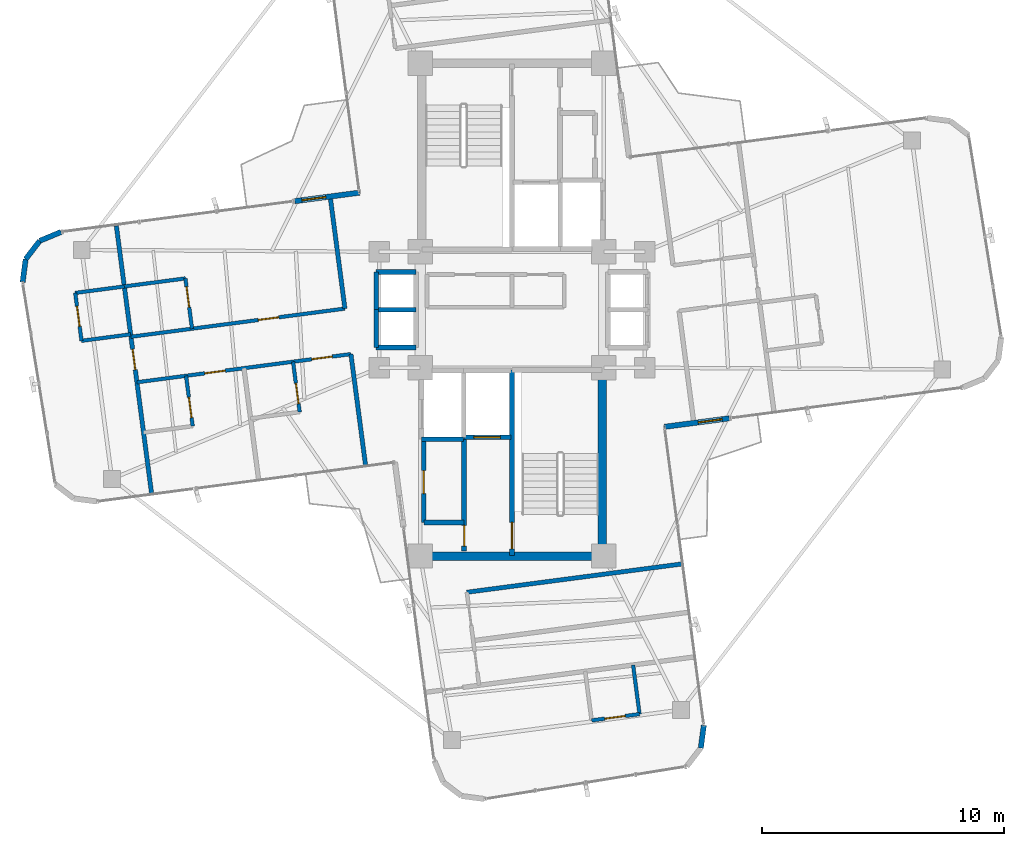
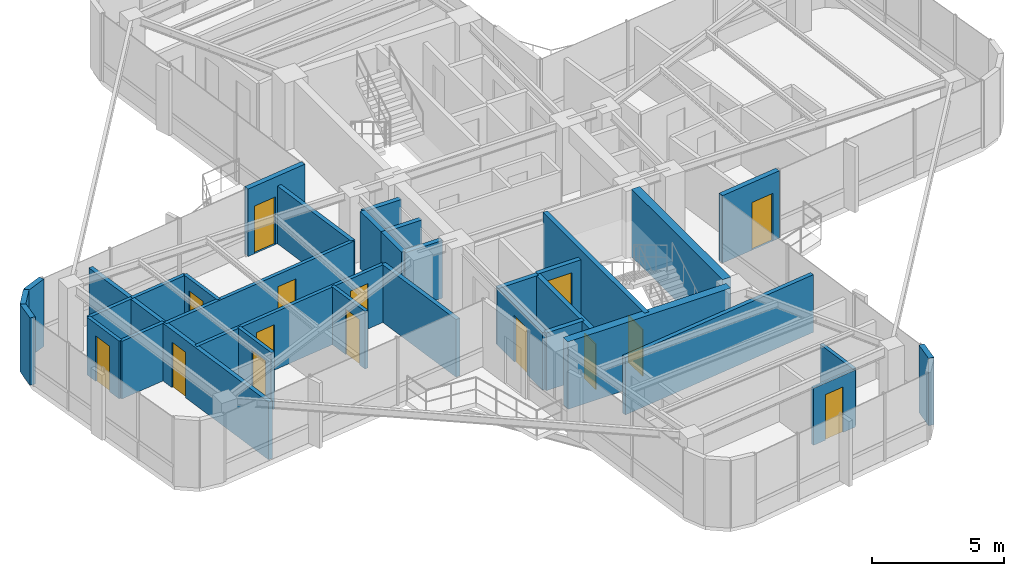
# One storey, part 19 of 22: 34 walls, 15 doors, 15 openings.
"""IFC4 building model written with IfcOpenShell, lengths in metres."""

import ifcopenshell
import ifcopenshell.guid

model = None  # the IFC model being written
_history = None  # IfcOwnerHistory: only IFC2X3 demands one
_inside = {}  # id of a spatial element -> (the spatial element, [elements in it])
_under = {}  # id of a project, library or spatial element -> (it, [spatial elements below it])
_declared = {}  # id of a project -> (the project, [libraries it declares])
_typed = {}  # id of a type object -> (the type object, [elements of that type])
_made_of = {}  # id of a material, layer set ... -> (it, [elements and type objects made of it])


def new_model(schema):
    """Start an empty IFC model of exactly this schema.

    Asked for "IFC4X3", IfcOpenShell would pick the latest addendum, in which some entities
    have other attributes; the version numbers below select the first issue.
    IFC2X3 requires an IfcOwnerHistory on every rooted entity: one is made here for all.
    """
    global model, _history
    if schema == "IFC4X3":
        model = ifcopenshell.file(schema_version=(4, 3, 0, 0))
    else:
        model = ifcopenshell.file(schema=schema)
    _inside.clear()
    _under.clear()
    _declared.clear()
    _typed.clear()
    _made_of.clear()
    _history = None
    if model.schema == "IFC2X3":
        org = make("IfcOrganization", Name="unknown")
        user = make(
            "IfcPersonAndOrganization",
            ThePerson=make("IfcPerson", FamilyName="unknown"),
            TheOrganization=org,
        )
        app = make(
            "IfcApplication",
            ApplicationDeveloper=org,
            Version="unknown",
            ApplicationFullName="unknown",
            ApplicationIdentifier="unknown",
        )
        _history = make(
            "IfcOwnerHistory",
            OwningUser=user,
            OwningApplication=app,
            ChangeAction="ADDED",
            CreationDate=0,
        )
    return model


def make(cls, **values):
    """One entity of the class cls with the attributes given. An attribute that is None is left unset."""
    return model.create_entity(
        cls, **{name: value for name, value in values.items() if value is not None}
    )


def rooted(cls, **values):
    """An entity with a GlobalId (a new one), such as an element, a storey or a relation."""
    return make(cls, GlobalId=ifcopenshell.guid.new(), OwnerHistory=_history, **values)


def si_unit(unit_type, name, prefix=None):
    """IfcSIUnit, for example si_unit("LENGTHUNIT", "METRE", prefix="MILLI")."""
    return make("IfcSIUnit", UnitType=unit_type, Prefix=prefix, Name=name)


def assignment(units):
    """IfcUnitAssignment: the units of a project."""
    return None if units is None else make("IfcUnitAssignment", Units=units)


def point(xyz):
    """IfcCartesianPoint."""
    return None if xyz is None else make("IfcCartesianPoint", Coordinates=xyz)


def direction(xyz):
    """IfcDirection."""
    return None if xyz is None else make("IfcDirection", DirectionRatios=xyz)


def frame(location, z_axis=None, x_axis=None):
    """IfcAxis2Placement3D, a coordinate frame: its origin and axes. An axis left out is left unset."""
    return make(
        "IfcAxis2Placement3D",
        Location=point(location),
        Axis=direction(z_axis),
        RefDirection=direction(x_axis),
    )


def frame_2d(location, x_axis=None):
    """IfcAxis2Placement2D, a coordinate frame in the plane: its origin and x axis."""
    return make(
        "IfcAxis2Placement2D", Location=point(location), RefDirection=direction(x_axis)
    )


def origin():
    """The frame at (0, 0, 0) with its axes left unset."""
    return frame((0.0, 0.0, 0.0))


def origin_2d():
    """The frame at (0, 0) in the plane with its x axis left unset."""
    return frame_2d((0.0, 0.0))


def place(relative_to, where):
    """IfcLocalPlacement: puts the frame where relative to a parent placement (None: the world)."""
    return make(
        "IfcLocalPlacement", PlacementRelTo=relative_to, RelativePlacement=where
    )


def context(
    kind, dimensions, precision=None, world=None, true_north=None, identifier=None
):
    """IfcGeometricRepresentationContext, for example the 3D "Model" context."""
    return make(
        "IfcGeometricRepresentationContext",
        ContextIdentifier=identifier,
        ContextType=kind,
        CoordinateSpaceDimension=dimensions,
        Precision=precision,
        WorldCoordinateSystem=world,
        TrueNorth=true_north,
    )


def subcontext(parent, identifier, kind, view, scale=None):
    """IfcGeometricRepresentationSubContext, for example "Body" below "Model"."""
    return make(
        "IfcGeometricRepresentationSubContext",
        ContextIdentifier=identifier,
        ContextType=kind,
        ParentContext=parent,
        TargetScale=scale,
        TargetView=view,
    )


def project(units=None, contexts=None):
    """IfcProject with its units and contexts."""
    return rooted(
        "IfcProject",
        Name="project",
        RepresentationContexts=contexts,
        UnitsInContext=assignment(units),
    )


def spatial(cls, under=None, at=None, **own):
    """A site, building, storey or space (cls), placed at a placement, below another one or the project."""
    s = rooted(cls, ObjectPlacement=at, **own)
    if under is not None:
        _under.setdefault(under.id(), (under, []))[1].append(s)
    return s


def profile(cls, at=None, kind="AREA", **sizes):
    """A parametric profile (cls). Its sizes go by their IFC names, for example OverallWidth=200.0."""
    return make(cls, ProfileType=kind, Position=at, **sizes)


def rectangle(**sizes):
    """IfcRectangleProfileDef."""
    return profile("IfcRectangleProfileDef", **sizes)


def extrude(swept, where, along, depth):
    """IfcExtrudedAreaSolid: the profile swept, set in the frame where, extruded along a direction by depth."""
    return make(
        "IfcExtrudedAreaSolid",
        SweptArea=swept,
        Position=where,
        ExtrudedDirection=direction(along),
        Depth=depth,
    )


def shape(context_of_items, identifier, shape_type, items):
    """IfcShapeRepresentation: the items that make up one representation, for example the "Body"."""
    return make(
        "IfcShapeRepresentation",
        ContextOfItems=context_of_items,
        RepresentationIdentifier=identifier,
        RepresentationType=shape_type,
        Items=items,
    )


def source(mapping_origin, context_of_items, identifier, shape_type, items):
    """IfcRepresentationMap: a shape defined once, which mapped items show again and again."""
    return make(
        "IfcRepresentationMap",
        MappingOrigin=mapping_origin,
        MappedRepresentation=shape(context_of_items, identifier, shape_type, items),
    )


def transform(
    local_origin,
    x_axis=None,
    y_axis=None,
    z_axis=None,
    scale=None,
    scale2=None,
    scale3=None,
    uniform=True,
):
    """IfcCartesianTransformationOperator3D, or its non-uniform kind. x_axis, y_axis, z_axis: its Axis1, 2, 3."""
    if uniform:
        return make(
            "IfcCartesianTransformationOperator3D",
            Axis1=direction(x_axis),
            Axis2=direction(y_axis),
            LocalOrigin=point(local_origin),
            Scale=scale,
            Axis3=direction(z_axis),
        )
    return make(
        "IfcCartesianTransformationOperator3DnonUniform",
        Axis1=direction(x_axis),
        Axis2=direction(y_axis),
        LocalOrigin=point(local_origin),
        Scale=scale,
        Axis3=direction(z_axis),
        Scale2=scale2,
        Scale3=scale3,
    )


def mapped(mapping_source, mapping_target):
    """IfcMappedItem: shows the shape of a source again, moved by a transform."""
    return make(
        "IfcMappedItem", MappingSource=mapping_source, MappingTarget=mapping_target
    )


def material(Name=None, Category=None):
    """IfcMaterial."""
    return make("IfcMaterial", Name=Name, Category=Category)


def layer(
    of_material, thickness, ventilated=None, Name=None, Category=None, Priority=None
):
    """IfcMaterialLayer: one layer of a wall or slab, of a material (None: an air gap)."""
    return make(
        "IfcMaterialLayer",
        Material=of_material,
        LayerThickness=thickness,
        IsVentilated=ventilated,
        Name=Name,
        Category=Category,
        Priority=Priority,
    )


def layer_set(layers, Name=None):
    """IfcMaterialLayerSet."""
    return make("IfcMaterialLayerSet", MaterialLayers=layers, LayerSetName=Name)


def made_of(thing, what):
    """Note that an element or type object is made of a material, layer set ...; save() writes the relation."""
    if what is not None:
        _made_of.setdefault(what.id(), (what, []))[1].append(thing)
    return thing


def type_object(cls, material=None, **own):
    """A type object (cls), such as IfcWallType, which elements share."""
    return made_of(rooted(cls, **own), material)


def element(
    cls,
    number,
    at=None,
    inside=None,
    cuts=None,
    type_object=None,
    material=None,
    context=None,
    identifier="Body",
    shape_type=None,
    held_by="IfcProductDefinitionShape",
    body=None,
    shapes=None,
    **own,
):
    """One element of the class cls, such as IfcWall. Its Tag is "e" and its number.

    at: its placement. inside: the storey or other place that contains it. cuts: it is an
    opening in that element (IfcRelVoidsElement). A single representation is given by context,
    identifier, shape_type and body (its items); several are given by shapes. held_by: the class
    of the entity that holds the representations. save() writes the other relations.
    """
    e = rooted(cls, Tag="e%d" % number, ObjectPlacement=at, **own)
    if body is not None:
        shapes = [shape(context, identifier, shape_type, body)]
    if shapes is not None:
        e.Representation = make(held_by, Representations=shapes)
    if inside is not None:
        _inside.setdefault(inside.id(), (inside, []))[1].append(e)
    if cuts is not None:
        rooted(
            "IfcRelVoidsElement", RelatingBuildingElement=cuts, RelatedOpeningElement=e
        )
    if type_object is not None:
        _typed.setdefault(type_object.id(), (type_object, []))[1].append(e)
    return made_of(e, material)


def fill(opening, filler):
    """IfcRelFillsElement: the door or window that sits in an opening."""
    return rooted(
        "IfcRelFillsElement",
        RelatingOpeningElement=opening,
        RelatedBuildingElement=filler,
    )


def aggregate(whole, parts):
    """IfcRelAggregates: a whole, such as a stair, and the parts it consists of."""
    return rooted("IfcRelAggregates", RelatingObject=whole, RelatedObjects=parts)


def save(model, path):
    """Write the relations noted so far, then the file.

    IfcRelAggregates (storeys below a building ...), IfcRelContainedInSpatialStructure (elements
    in a storey), IfcRelDefinesByType, IfcRelAssociatesMaterial and IfcRelDeclares: one each for
    every whole, place, type object, material and project.
    """
    for whole, parts in _under.values():
        aggregate(whole, parts)
    for where, things in _inside.values():
        rooted(
            "IfcRelContainedInSpatialStructure",
            RelatedElements=things,
            RelatingStructure=where,
        )
    for kind, things in _typed.values():
        rooted("IfcRelDefinesByType", RelatedObjects=things, RelatingType=kind)
    for what, things in _made_of.values():
        rooted("IfcRelAssociatesMaterial", RelatedObjects=things, RelatingMaterial=what)
    for by, libraries in _declared.values():
        rooted("IfcRelDeclares", RelatingContext=by, RelatedDefinitions=libraries)
    model.write(path)


model = new_model("IFC4")

# Units and contexts
model_context = context("Model", 3, precision=1e-05, world=origin(), true_north=direction((0.0, 1.0)))
body_context = subcontext(model_context, "Body", "Model", "MODEL_VIEW")
ifc_project = project(units=[si_unit("LENGTHUNIT", "METRE"), si_unit("AREAUNIT", "SQUARE_METRE"), si_unit("VOLUMEUNIT", "CUBIC_METRE"), si_unit("PLANEANGLEUNIT", "RADIAN"), si_unit("MASSUNIT", "GRAM", prefix="KILO")], contexts=[model_context])

# Site, building, storey
site_placement = place(None, origin())
site = spatial("IfcSite", under=ifc_project, at=site_placement, CompositionType="ELEMENT")
building_placement = place(site_placement, origin())
building = spatial("IfcBuilding", under=site, at=building_placement, Name="Sahyath Konkavel Grand Hotel", CompositionType="ELEMENT")
storey_placement = place(building_placement, frame((0.0, 0.0, 234.449951171875)))
storey = spatial("IfcBuildingStorey", under=building, at=storey_placement, Name="L65", CompositionType="ELEMENT", Elevation=234.449951171875)

# Walls
ifc_material_1 = material(Name="Concrete C40/50", Category="concrete")
ifc_layer_1 = layer(ifc_material_1, 0.35009765625)
ifc_layer_set_1 = layer_set([ifc_layer_1], Name="Concrete C40/50")
wall_type_1 = type_object("IfcWallType", Name="CWALL-350", PredefinedType="SHEAR", material=ifc_layer_set_1)
wall_1_placement = place(storey_placement, frame((-3.550048828125, -10.199951171875, 0.0), z_axis=(0.0, 0.0, 1.0), x_axis=(1.0, 0.0, 0.0)))
element("IfcWall", 1, at=wall_1_placement, inside=storey, type_object=wall_type_1, Name="L65 South Core Shear Wall S", PredefinedType="SHEAR", context=body_context, shape_type="SweptSolid", body=[
    extrude(rectangle(XDim=7.10009765625, YDim=0.35009765625, at=frame_2d((3.550048828125, 0.0))), origin(), (0.0, 0.0, 1.0), 3.110107421875),
])
wall_2_placement = place(storey_placement, frame((3.739990234375, -9.75, 0.0), z_axis=(0.0, 0.0, 1.0), x_axis=(0.0, 1.0, 0.0)))
element("IfcWall", 2, at=wall_2_placement, inside=storey, type_object=wall_type_1, Name="L65 South Core Shear Wall E", PredefinedType="SHEAR", context=body_context, shape_type="SweptSolid", body=[
    extrude(rectangle(XDim=6.89990234375, YDim=0.35009765625, at=frame_2d((3.449951171875, 0.0))), origin(), (0.0, 0.0, 1.0), 3.110107421875),
])

# Wall, opening, door
ifc_material_2 = material(Name="Warm Buff Sandstone Insulated Concrete C40/50", Category="masonry")
ifc_layer_2 = layer(ifc_material_2, 0.219970703125)
ifc_layer_set_2 = layer_set([ifc_layer_2], Name="Warm Buff Sandstone Insulated Concrete C40/50")
wall_type_2 = type_object("IfcWallType", Name="WLL-BALC-THRESH", PredefinedType="STANDARD", material=ifc_layer_set_2)
wall_3_placement = place(storey_placement, frame((6.315673828125, -4.84619140625, 0.0), z_axis=(0.0, 0.0, 1.0), x_axis=(0.991438283356, 0.130576147498, 0.0)))
wall_3 = element("IfcWall", 3, at=wall_3_placement, inside=storey, type_object=wall_type_2, Name="L65 Winter-Garden Threshold Wall 0", PredefinedType="STANDARD", context=body_context, shape_type="SweptSolid", body=[
    extrude(rectangle(XDim=2.699951171875, YDim=0.219970703125, at=frame_2d((1.35009765625, 0.0))), origin(), (0.0, 0.0, 1.0), 3.110107421875),
])
opening_1_placement = place(wall_3_placement, frame((1.39990234375, 0.0, 0.0)))
opening_1 = element("IfcOpeningElement", 4, at=opening_1_placement, cuts=wall_3, Name="Opening D-TR1", PredefinedType="OPENING", context=body_context, shape_type="SweptSolid", body=[
    extrude(rectangle(XDim=1.0, YDim=2.199951171875, at=frame_2d((0.5, 1.10009765625))), frame((0.0, 0.1201171875, 0.0), z_axis=(0.0, -1.0, 0.0), x_axis=(1.0, 0.0, 0.0)), (0.0, 0.0, 1.0), 0.239990234375),
])
ifc_material_3 = material(Name="Anodised Bronze Aluminium & Low-E Glazing", Category="aluminium")
door_type_1 = type_object("IfcDoorType", Name="DR-TERRACE-1000", OperationType="NOTDEFINED", PredefinedType="DOOR", material=ifc_material_3)
shared_shape_1 = source(origin(), body_context, "Body", "SweptSolid", [
    extrude(rectangle(XDim=1.0, YDim=0.050048828125, at=origin_2d()), origin(), (0.0, 0.0, 1.0), 2.199951171875),
])
door_1_placement = place(opening_1_placement, frame((0.5, 0.0, 0.0)))
door_1 = element("IfcDoor", 5, at=door_1_placement, inside=storey, type_object=door_type_1, Name="L65 Winter-Garden Terrace Door 0", OperationType="SINGLE_SWING_LEFT", OverallHeight=2.199951171875, OverallWidth=1.0, PredefinedType="DOOR", context=body_context, shape_type="MappedRepresentation", body=[
    mapped(shared_shape_1, transform((0.0, 0.0, 0.0), scale=1.0)),
])
fill(opening_1, door_1)

wall_4_placement = place(storey_placement, frame((-6.315673828125, 4.84619140625, 0.0), z_axis=(0.0, 0.0, 1.0), x_axis=(-0.991438283356, -0.130576147498, 0.0)))
wall_4 = element("IfcWall", 6, at=wall_4_placement, inside=storey, type_object=wall_type_2, Name="L65 Winter-Garden Threshold Wall 16", PredefinedType="STANDARD", context=body_context, shape_type="SweptSolid", body=[
    extrude(rectangle(XDim=2.699951171875, YDim=0.219970703125, at=frame_2d((1.35009765625, 0.0))), origin(), (0.0, 0.0, 1.0), 3.110107421875),
])
opening_2_placement = place(wall_4_placement, frame((1.39990234375, 0.0, 0.0)))
opening_2 = element("IfcOpeningElement", 7, at=opening_2_placement, cuts=wall_4, Name="Opening D-TR1", PredefinedType="OPENING", context=body_context, shape_type="SweptSolid", body=[
    extrude(rectangle(XDim=1.0, YDim=2.199951171875, at=frame_2d((0.5, 1.10009765625))), frame((0.0, 0.1201171875, 0.0), z_axis=(0.0, -1.0, 0.0), x_axis=(1.0, 0.0, 0.0)), (0.0, 0.0, 1.0), 0.239990234375),
])
door_2_placement = place(opening_2_placement, frame((0.5, 0.0, 0.0)))
door_2 = element("IfcDoor", 8, at=door_2_placement, inside=storey, type_object=door_type_1, Name="L65 Winter-Garden Terrace Door 16", OperationType="SINGLE_SWING_LEFT", OverallHeight=2.199951171875, OverallWidth=1.0, PredefinedType="DOOR", context=body_context, shape_type="MappedRepresentation", body=[
    mapped(shared_shape_1, transform((0.0, 0.0, 0.0), scale=1.0)),
])
fill(opening_2, door_2)

# Walls
wall_5_placement = place(storey_placement, frame((-18.6630859375, 3.220458984375, 0.0), z_axis=(0.0, 0.0, 1.0), x_axis=(-0.923889442397, -0.382659506909, 0.0)))
element("IfcWall", 9, at=wall_5_placement, inside=storey, type_object=wall_type_2, Name="L65 Rounded Corner Sandstone Pier 17", PredefinedType="STANDARD", context=body_context, shape_type="SweptSolid", body=[
    extrude(rectangle(XDim=0.957763671875, YDim=0.219970703125, at=frame_2d((0.47900390625, 0.0))), origin(), (0.0, 0.0, 1.0), 3.110107421875),
])
for number, where, z_axis, x_axis, name in (
    (10, (-19.5478515625, 2.85400390625, 0.0), (0.0, 0.0, 1.0), (-0.60861352168, -0.793466811674, 0.0), "L65 Rounded Corner Sandstone Pier 18"),
    (11, (-20.130615234375, 2.09423828125, 0.0), (0.0, 0.0, 1.0), (-0.13056005306, -0.991440402921, 0.0), "L65 Rounded Corner Sandstone Pier 19"),
):
    element("IfcWall", number, at=place(storey_placement, frame(where, z_axis=z_axis, x_axis=x_axis)), inside=storey, type_object=wall_type_2, Name=name, PredefinedType="STANDARD", context=body_context, shape_type="SweptSolid", body=[
        extrude(rectangle(XDim=0.95751953125, YDim=0.219970703125, at=frame_2d((0.478759765625, 0.0))), origin(), (0.0, 0.0, 1.0), 3.110107421875),
    ])
wall_6_placement = place(storey_placement, frame((7.816162109375, -18.14306640625, 0.0), z_axis=(0.0, 0.0, 1.0), x_axis=(0.130527053476, 0.991444747987, 0.0)))
element("IfcWall", 12, at=wall_6_placement, inside=storey, type_object=wall_type_2, Name="L65 Rounded Corner Sandstone Pier 30", PredefinedType="STANDARD", context=body_context, shape_type="SweptSolid", body=[
    extrude(rectangle(XDim=0.957763671875, YDim=0.219970703125, at=frame_2d((0.47900390625, 0.0))), origin(), (0.0, 0.0, 1.0), 3.110107421875),
])

# Wall, opening, door
ifc_layer_3 = layer(ifc_material_1, 0.199951171875)
ifc_layer_set_3 = layer_set([ifc_layer_3], Name="Concrete C40/50")
wall_type_3 = type_object("IfcWallType", Name="WLL-CORE-200", PredefinedType="SOLIDWALL", material=ifc_layer_set_3)
wall_7_placement = place(storey_placement, frame((0.0, -10.179931640625, 0.0), z_axis=(0.0, 0.0, 1.0), x_axis=(0.0, 1.0, 0.0)))
wall_7 = element("IfcWall", 13, at=wall_7_placement, inside=storey, type_object=wall_type_3, Name="L65 Stair ST-2 Shaft Wall W", PredefinedType="SOLIDWALL", context=body_context, shape_type="SweptSolid", body=[
    extrude(rectangle(XDim=7.679931640625, YDim=0.199951171875, at=frame_2d((3.83984375, 0.0))), origin(), (0.0, 0.0, 1.0), 3.110107421875),
])
opening_3_placement = place(wall_7_placement, frame((0.280029296875, 0.0, 0.0)))
opening_3 = element("IfcOpeningElement", 14, at=opening_3_placement, cuts=wall_7, Name="Opening D-F12B", PredefinedType="OPENING", context=body_context, shape_type="SweptSolid", body=[
    extrude(rectangle(XDim=1.10009765625, YDim=2.14990234375, at=frame_2d((0.550048828125, 1.074951171875))), frame((0.0, 0.10986328125, 0.0), z_axis=(0.0, -1.0, 0.0), x_axis=(1.0, 0.0, 0.0)), (0.0, 0.0, 1.0), 0.219970703125),
])
ifc_material_4 = material(Name="Steel E350 Smokeproof Fire Door", Category="steel")
door_type_2 = type_object("IfcDoorType", Name="DR-FD120-1100", OperationType="NOTDEFINED", PredefinedType="DOOR", material=ifc_material_4)
shared_shape_2 = source(origin(), body_context, "Body", "SweptSolid", [
    extrude(rectangle(XDim=1.10009765625, YDim=0.050048828125, at=origin_2d()), origin(), (0.0, 0.0, 1.0), 2.14990234375),
])
door_3_placement = place(opening_3_placement, frame((0.550048828125, 0.0, 0.0)))
door_3 = element("IfcDoor", 15, at=door_3_placement, inside=storey, type_object=door_type_2, Name="L65 Stair ST-2 Fire Door", OperationType="SINGLE_SWING_RIGHT", OverallHeight=2.14990234375, OverallWidth=1.10009765625, PredefinedType="DOOR", context=body_context, shape_type="MappedRepresentation", body=[
    mapped(shared_shape_2, transform((0.0, 0.0, 0.0), scale=1.0)),
])
fill(opening_3, door_3)

wall_8_placement = place(storey_placement, frame((-1.97998046875, -9.97998046875, 0.0), z_axis=(0.0, 0.0, 1.0), x_axis=(0.0, 1.0, 0.0)))
wall_8 = element("IfcWall", 16, at=wall_8_placement, inside=storey, type_object=wall_type_3, Name="L65 South Firefighting Lobby Wall W", PredefinedType="SOLIDWALL", context=body_context, shape_type="SweptSolid", body=[
    extrude(rectangle(XDim=4.659912109375, YDim=0.199951171875, at=frame_2d((2.330078125, 0.0))), origin(), (0.0, 0.0, 1.0), 2.66015625),
])
opening_4_placement = place(wall_8_placement, frame((0.199951171875, 0.0, 0.0)))
opening_4 = element("IfcOpeningElement", 17, at=opening_4_placement, cuts=wall_8, Name="Opening D-F12D", PredefinedType="OPENING", context=body_context, shape_type="SweptSolid", body=[
    extrude(rectangle(XDim=0.85009765625, YDim=2.10009765625, at=frame_2d((0.425048828125, 1.050048828125))), frame((0.0, 0.10986328125, 0.0), z_axis=(0.0, -1.0, 0.0), x_axis=(1.0, 0.0, 0.0)), (0.0, 0.0, 1.0), 0.219970703125),
])
ifc_material_5 = material(Name="Steel E350 Core Fire Door", Category="steel")
door_type_3 = type_object("IfcDoorType", Name="DR-FD120-850", OperationType="NOTDEFINED", PredefinedType="DOOR", material=ifc_material_5)
shared_shape_3 = source(origin(), body_context, "Body", "SweptSolid", [
    extrude(rectangle(XDim=0.85009765625, YDim=0.050048828125, at=origin_2d()), origin(), (0.0, 0.0, 1.0), 2.10009765625),
])
door_4_placement = place(opening_4_placement, frame((0.425048828125, 0.0, 0.0)))
door_4 = element("IfcDoor", 18, at=door_4_placement, inside=storey, type_object=door_type_3, Name="L65 South Firefighting Lobby Door", OperationType="SINGLE_SWING_RIGHT", OverallHeight=2.10009765625, OverallWidth=0.85009765625, PredefinedType="DOOR", context=body_context, shape_type="MappedRepresentation", body=[
    mapped(shared_shape_3, transform((0.0, 0.0, 0.0), scale=1.0)),
])
fill(opening_4, door_4)

wall_9_placement = place(storey_placement, frame((-1.97998046875, -5.280029296875, 0.0), z_axis=(0.0, 0.0, 1.0), x_axis=(1.0, 0.0, 0.0)))
wall_9 = element("IfcWall", 19, at=wall_9_placement, inside=storey, type_object=wall_type_3, Name="L65 Partition SH-FFL2-S", PredefinedType="SOLIDWALL", context=body_context, shape_type="SweptSolid", body=[
    extrude(rectangle(XDim=1.929931640625, YDim=0.199951171875, at=frame_2d((0.96484375, 0.0))), origin(), (0.0, 0.0, 1.0), 2.66015625),
])
opening_5_placement = place(wall_9_placement, frame((0.39990234375, 0.0, 0.0)))
opening_5 = element("IfcOpeningElement", 20, at=opening_5_placement, cuts=wall_9, Name="Opening LD-11", PredefinedType="OPENING", context=body_context, shape_type="SweptSolid", body=[
    extrude(rectangle(XDim=1.10009765625, YDim=2.199951171875, at=frame_2d((0.550048828125, 1.10009765625))), frame((0.0, 0.10986328125, 0.0), z_axis=(0.0, -1.0, 0.0), x_axis=(1.0, 0.0, 0.0)), (0.0, 0.0, 1.0), 0.219970703125),
])
ifc_material_6 = material(Name="Bronze Lift Landing Door 1100")
door_type_4 = type_object("IfcDoorType", Name="DR-LIFT-1100", OperationType="DOUBLE_DOOR_SLIDING", PredefinedType="DOOR", material=ifc_material_6)
shared_shape_4 = source(origin(), body_context, "Body", "SweptSolid", [
    extrude(rectangle(XDim=1.10009765625, YDim=0.050048828125, at=origin_2d()), origin(), (0.0, 0.0, 1.0), 2.199951171875),
])
door_5_placement = place(opening_5_placement, frame((0.550048828125, 0.0, 0.0)))
door_5 = element("IfcDoor", 21, at=door_5_placement, inside=storey, type_object=door_type_4, Name="L65 Lift FFL-2 Landing Door", OperationType="DOUBLE_DOOR_SLIDING", OverallHeight=2.199951171875, OverallWidth=1.10009765625, PredefinedType="DOOR", context=body_context, shape_type="MappedRepresentation", body=[
    mapped(shared_shape_4, transform((0.0, 0.0, 0.0), scale=1.0)),
])
fill(opening_5, door_5)

# Walls
wall_10_placement = place(storey_placement, frame((-3.739990234375, -5.360107421875, 0.0), z_axis=(0.0, 0.0, 1.0), x_axis=(1.0, 0.0, 0.0)))
element("IfcWall", 22, at=wall_10_placement, inside=storey, type_object=wall_type_3, Name="L65 Partition SH-SVL2-S", PredefinedType="SOLIDWALL", context=body_context, shape_type="SweptSolid", body=[
    extrude(rectangle(XDim=1.739990234375, YDim=0.199951171875, at=frame_2d((0.8701171875, 0.0))), origin(), (0.0, 0.0, 1.0), 2.66015625),
])
for number, where, z_axis, x_axis, name in (
    (23, (-5.6201171875, 1.56005859375, 0.0), (0.0, 0.0, 1.0), (1.0, 0.0, 0.0), "L65 Partition SH-SL12-N"),
    (24, (-5.6201171875, -1.56005859375, 0.0), (0.0, 0.0, 1.0), (1.0, 0.0, 0.0), "L65 Partition SH-SL12-S"),
    (25, (-5.6201171875, 0.0, 0.0), (0.0, 0.0, 1.0), (1.0, 0.0, 0.0), "L65 Partition SH-SL12-M"),
):
    element("IfcWall", number, at=place(storey_placement, frame(where, z_axis=z_axis, x_axis=x_axis)), inside=storey, type_object=wall_type_3, Name=name, PredefinedType="SOLIDWALL", context=body_context, shape_type="SweptSolid", body=[
        extrude(rectangle(XDim=1.64013671875, YDim=0.199951171875, at=frame_2d((0.820068359375, 0.0))), origin(), (0.0, 0.0, 1.0), 2.66015625),
    ])
for number, where, z_axis, x_axis, name in (
    (26, (-5.6201171875, 0.0, 0.0), (0.0, 0.0, 1.0), (0.0, 1.0, 0.0), "L65 Partition SH-SL1-W"),
    (27, (-5.6201171875, -1.56005859375, 0.0), (0.0, 0.0, 1.0), (0.0, 1.0, 0.0), "L65 Partition SH-SL2-W"),
):
    element("IfcWall", number, at=place(storey_placement, frame(where, z_axis=z_axis, x_axis=x_axis)), inside=storey, type_object=wall_type_3, Name=name, PredefinedType="SOLIDWALL", context=body_context, shape_type="SweptSolid", body=[
        extrude(rectangle(XDim=1.56005859375, YDim=0.199951171875, at=frame_2d((0.780029296875, 0.0))), origin(), (0.0, 0.0, 1.0), 2.66015625),
    ])

# Wall, opening, door
wall_11_placement = place(storey_placement, frame((-3.64990234375, -8.81005859375, 0.0), z_axis=(0.0, 0.0, 1.0), x_axis=(0.0, 1.0, 0.0)))
wall_11 = element("IfcWall", 28, at=wall_11_placement, inside=storey, type_object=wall_type_3, Name="L65 Reclaimed South Core Wall W", PredefinedType="SOLIDWALL", context=body_context, shape_type="SweptSolid", body=[
    extrude(rectangle(XDim=3.43017578125, YDim=0.199951171875, at=frame_2d((1.715087890625, 0.0))), origin(), (0.0, 0.0, 1.0), 2.66015625),
])
opening_6_placement = place(wall_11_placement, frame((1.199951171875, 0.0, 0.0)))
opening_6 = element("IfcOpeningElement", 29, at=opening_6_placement, cuts=wall_11, Name="Opening D-AC95", PredefinedType="OPENING", context=body_context, shape_type="SweptSolid", body=[
    extrude(rectangle(XDim=0.949951171875, YDim=2.14990234375, at=frame_2d((0.47509765625, 1.074951171875))), frame((0.0, 0.10986328125, 0.0), z_axis=(0.0, -1.0, 0.0), x_axis=(1.0, 0.0, 0.0)), (0.0, 0.0, 1.0), 0.219970703125),
])
ifc_material_7 = material(Name="Accessible Washroom Timber Door", Category="wood")
door_type_5 = type_object("IfcDoorType", Name="DR-ACC-950", OperationType="NOTDEFINED", PredefinedType="DOOR", material=ifc_material_7)
shared_shape_5 = source(origin(), body_context, "Body", "SweptSolid", [
    extrude(rectangle(XDim=0.949951171875, YDim=0.050048828125, at=origin_2d()), origin(), (0.0, 0.0, 1.0), 2.14990234375),
])
door_6_placement = place(opening_6_placement, frame((0.47509765625, 0.0, 0.0)))
door_6 = element("IfcDoor", 30, at=door_6_placement, inside=storey, type_object=door_type_5, Name="L65 Door SC-REC1-D", OperationType="SINGLE_SWING_RIGHT", OverallHeight=2.14990234375, OverallWidth=0.949951171875, PredefinedType="DOOR", context=body_context, shape_type="MappedRepresentation", body=[
    mapped(shared_shape_5, transform((0.0, 0.0, 0.0), scale=1.0)),
])
fill(opening_6, door_6)

# Walls
wall_12_placement = place(storey_placement, frame((-3.64990234375, -8.81005859375, 0.0), z_axis=(0.0, 0.0, 1.0), x_axis=(1.0, 0.0, 0.0)))
element("IfcWall", 31, at=wall_12_placement, inside=storey, type_object=wall_type_3, Name="L65 Partition SC-REC-S", PredefinedType="SOLIDWALL", context=body_context, shape_type="SweptSolid", body=[
    extrude(rectangle(XDim=1.669921875, YDim=0.199951171875, at=frame_2d((0.8349609375, 0.0))), origin(), (0.0, 0.0, 1.0), 2.66015625),
])
ifc_material_8 = material(Name="Twin-Stud Acoustic Gypsum Plasterboard Partition")
ifc_layer_4 = layer(ifc_material_8, 0.179931640625)
ifc_layer_set_4 = layer_set([ifc_layer_4], Name="Twin-Stud Acoustic Gypsum Plasterboard Partition")
wall_type_4 = type_object("IfcWallType", Name="WLL-DEMISE-180", PredefinedType="PARTITIONING", material=ifc_layer_set_4)
for number, where, z_axis, x_axis, name in (
    (32, (-6.66748046875, -1.8359375, 0.0), (0.0, 0.0, 1.0), (0.130536371683, -0.991443521169, 0.0), "L65 Partition W-INL"),
    (33, (-7.51953125, 4.63720703125, 0.0), (0.0, 0.0, 1.0), (0.130536371683, -0.991443521169, 0.0), "L65 Partition W-INR"),
):
    element("IfcWall", number, at=place(storey_placement, frame(where, z_axis=z_axis, x_axis=x_axis)), inside=storey, type_object=wall_type_4, Name=name, PredefinedType="PARTITIONING", context=body_context, shape_type="SweptSolid", body=[
        extrude(rectangle(XDim=4.62890625, YDim=0.179931640625, at=frame_2d((2.314453125, 0.0))), origin(), (0.0, 0.0, 1.0), 2.66015625),
    ])

# Wall, opening, door
wall_13_placement = place(storey_placement, frame((-16.376220703125, 3.47119140625, 0.0), z_axis=(0.0, 0.0, 1.0), x_axis=(0.130516772493, -0.991446101459, 0.0)))
wall_13 = element("IfcWall", 34, at=wall_13_placement, inside=storey, type_object=wall_type_4, Name="L65 Partition W-WTIP-END", PredefinedType="PARTITIONING", context=body_context, shape_type="SweptSolid", body=[
    extrude(rectangle(XDim=11.157958984375, YDim=0.179931640625, at=frame_2d((5.5791015625, 0.0))), origin(), (0.0, 0.0, 1.0), 2.66015625),
])
opening_7_placement = place(wall_13_placement, frame((5.154052734375, 0.0, 0.0)))
opening_7 = element("IfcOpeningElement", 35, at=opening_7_placement, cuts=wall_13, Name="Opening D-F06D", PredefinedType="OPENING", context=body_context, shape_type="SweptSolid", body=[
    extrude(rectangle(XDim=0.85009765625, YDim=2.10009765625, at=frame_2d((0.425048828125, 1.050048828125))), frame((0.0, 0.10009765625, 0.0), z_axis=(0.0, -1.0, 0.0), x_axis=(1.0, 0.0, 0.0)), (0.0, 0.0, 1.0), 0.199951171875),
])
ifc_material_9 = material(Name="Fire-Rated Shaft Access Door")
door_type_6 = type_object("IfcDoorType", Name="DR-FD60-850", OperationType="NOTDEFINED", PredefinedType="DOOR", material=ifc_material_9)
door_7_placement = place(opening_7_placement, frame((0.425048828125, 0.0, 0.0)))
door_7 = element("IfcDoor", 36, at=door_7_placement, inside=storey, type_object=door_type_6, Name="L65 Door W-WTIP-ED", OperationType="SINGLE_SWING_RIGHT", OverallHeight=2.10009765625, OverallWidth=0.85009765625, PredefinedType="DOOR", context=body_context, shape_type="MappedRepresentation", body=[
    mapped(shared_shape_3, transform((0.0, 0.0, 0.0), scale=1.0)),
])
fill(opening_7, door_7)

# Wall
wall_14_placement = place(storey_placement, frame((-1.86865234375, -11.69384765625, 0.0), z_axis=(0.0, 0.0, 1.0), x_axis=(0.991445759155, 0.130519372714, 0.0)))
element("IfcWall", 37, at=wall_14_placement, inside=storey, type_object=wall_type_4, Name="L65 Partition S-G6I", PredefinedType="PARTITIONING", context=body_context, shape_type="SweptSolid", body=[
    extrude(rectangle(XDim=8.9580078125, YDim=0.179931640625, at=frame_2d((4.47900390625, 0.0))), origin(), (0.0, 0.0, 1.0), 2.66015625),
])

# Wall, openings, doors
ifc_material_10 = material(Name="Fire-Rated Gypsum Plasterboard Partition")
ifc_layer_5 = layer(ifc_material_10, 0.14990234375)
ifc_layer_set_5 = layer_set([ifc_layer_5], Name="Fire-Rated Gypsum Plasterboard Partition")
wall_type_5 = type_object("IfcWallType", Name="WLL-PART-150", PredefinedType="PARTITIONING", material=ifc_layer_set_5)
wall_15_placement = place(storey_placement, frame((-6.66748046875, -1.8359375, 0.0), z_axis=(0.0, 0.0, 1.0), x_axis=(-0.991444245962, -0.130530866653, 0.0)))
wall_15 = element("IfcWall", 38, at=wall_15_placement, inside=storey, type_object=wall_type_5, Name="L65 Partition W-CL", PredefinedType="PARTITIONING", context=body_context, shape_type="SweptSolid", body=[
    extrude(rectangle(XDim=8.932861328125, YDim=0.14990234375, at=frame_2d((4.46630859375, 0.0))), origin(), (0.0, 0.0, 1.0), 2.66015625),
])
opening_8_placement = place(wall_15_placement, frame((0.782958984375, 0.0, 0.0)))
opening_8 = element("IfcOpeningElement", 39, at=opening_8_placement, cuts=wall_15, Name="Opening D-F06D", PredefinedType="OPENING", context=body_context, shape_type="SweptSolid", body=[
    extrude(rectangle(XDim=0.85009765625, YDim=2.10009765625, at=frame_2d((0.425048828125, 1.050048828125))), frame((0.0, 0.0849609375, 0.0), z_axis=(0.0, -1.0, 0.0), x_axis=(1.0, 0.0, 0.0)), (0.0, 0.0, 1.0), 0.169921875),
])
opening_9_placement = place(wall_15_placement, frame((5.25, 0.0, 0.0)))
opening_9 = element("IfcOpeningElement", 40, at=opening_9_placement, cuts=wall_15, Name="Opening D-F06D", PredefinedType="OPENING", context=body_context, shape_type="SweptSolid", body=[
    extrude(rectangle(XDim=0.85009765625, YDim=2.10009765625, at=frame_2d((0.425048828125, 1.050048828125))), frame((0.0, 0.0849609375, 0.0), z_axis=(0.0, -1.0, 0.0), x_axis=(1.0, 0.0, 0.0)), (0.0, 0.0, 1.0), 0.169921875),
])
door_8_placement = place(opening_8_placement, frame((0.425048828125, 0.0, 0.0)))
door_8 = element("IfcDoor", 41, at=door_8_placement, inside=storey, type_object=door_type_6, Name="L65 Door W-W4L1-ED", OperationType="SINGLE_SWING_RIGHT", OverallHeight=2.10009765625, OverallWidth=0.85009765625, PredefinedType="DOOR", context=body_context, shape_type="MappedRepresentation", body=[
    mapped(shared_shape_3, transform((0.0, 0.0, 0.0), scale=1.0)),
])
fill(opening_8, door_8)
door_9_placement = place(opening_9_placement, frame((0.425048828125, 0.0, 0.0)))
door_9 = element("IfcDoor", 42, at=door_9_placement, inside=storey, type_object=door_type_6, Name="L65 Door W-W4L2-ED", OperationType="SINGLE_SWING_RIGHT", OverallHeight=2.10009765625, OverallWidth=0.85009765625, PredefinedType="DOOR", context=body_context, shape_type="MappedRepresentation", body=[
    mapped(shared_shape_3, transform((0.0, 0.0, 0.0), scale=1.0)),
])
fill(opening_9, door_9)

# Wall, opening, door
wall_16_placement = place(storey_placement, frame((-6.915283203125, 0.0478515625, 0.0), z_axis=(0.0, 0.0, 1.0), x_axis=(-0.99144471161, -0.130527329786, 0.0)))
wall_16 = element("IfcWall", 43, at=wall_16_placement, inside=storey, type_object=wall_type_5, Name="L65 Partition W-CR", PredefinedType="PARTITIONING", context=body_context, shape_type="SweptSolid", body=[
    extrude(rectangle(XDim=8.93310546875, YDim=0.14990234375, at=frame_2d((4.466552734375, 0.0))), origin(), (0.0, 0.0, 1.0), 2.66015625),
])
opening_10_placement = place(wall_16_placement, frame((2.76611328125, 0.0, 0.0)))
opening_10 = element("IfcOpeningElement", 44, at=opening_10_placement, cuts=wall_16, Name="Opening D-F06D", PredefinedType="OPENING", context=body_context, shape_type="SweptSolid", body=[
    extrude(rectangle(XDim=0.85009765625, YDim=2.10009765625, at=frame_2d((0.425048828125, 1.050048828125))), frame((0.0, 0.0849609375, 0.0), z_axis=(0.0, -1.0, 0.0), x_axis=(1.0, 0.0, 0.0)), (0.0, 0.0, 1.0), 0.169921875),
])
door_10_placement = place(opening_10_placement, frame((0.425048828125, 0.0, 0.0)))
door_10 = element("IfcDoor", 45, at=door_10_placement, inside=storey, type_object=door_type_6, Name="L65 Door W-W4R1-ED", OperationType="SINGLE_SWING_RIGHT", OverallHeight=2.10009765625, OverallWidth=0.85009765625, PredefinedType="DOOR", context=body_context, shape_type="MappedRepresentation", body=[
    mapped(shared_shape_3, transform((0.0, 0.0, 0.0), scale=1.0)),
])
fill(opening_10, door_10)

wall_17_placement = place(storey_placement, frame((-9.062744140625, -2.1513671875, 0.0), z_axis=(0.0, 0.0, 1.0), x_axis=(0.130556761174, -0.991440836415, 0.0)))
wall_17 = element("IfcWall", 46, at=wall_17_placement, inside=storey, type_object=wall_type_5, Name="L65 Partition W-W4L1-BS", PredefinedType="PARTITIONING", context=body_context, shape_type="SweptSolid", body=[
    extrude(rectangle(XDim=2.10009765625, YDim=0.14990234375, at=frame_2d((1.050048828125, 0.0))), origin(), (0.0, 0.0, 1.0), 2.66015625),
])
opening_11_placement = place(wall_17_placement, frame((0.89990234375, 0.0, 0.0)))
opening_11 = element("IfcOpeningElement", 47, at=opening_11_placement, cuts=wall_17, Name="Opening D-BT85", PredefinedType="OPENING", context=body_context, shape_type="SweptSolid", body=[
    extrude(rectangle(XDim=0.85009765625, YDim=2.10009765625, at=frame_2d((0.425048828125, 1.050048828125))), frame((0.0, 0.0849609375, 0.0), z_axis=(0.0, -1.0, 0.0), x_axis=(1.0, 0.0, 0.0)), (0.0, 0.0, 1.0), 0.169921875),
])
ifc_material_11 = material(Name="Moisture-Resistant Teak Bathroom Door")
door_type_7 = type_object("IfcDoorType", Name="DR-BATH-850", OperationType="NOTDEFINED", PredefinedType="DOOR", material=ifc_material_11)
door_11_placement = place(opening_11_placement, frame((0.425048828125, 0.0, 0.0)))
door_11 = element("IfcDoor", 48, at=door_11_placement, inside=storey, type_object=door_type_7, Name="L65 Door W-W4L1-BD", OperationType="SINGLE_SWING_LEFT", OverallHeight=2.10009765625, OverallWidth=0.85009765625, PredefinedType="DOOR", context=body_context, shape_type="MappedRepresentation", body=[
    mapped(shared_shape_3, transform((0.0, 0.0, 0.0), scale=1.0)),
])
fill(opening_11, door_11)

wall_18_placement = place(storey_placement, frame((-13.491455078125, -2.734375, 0.0), z_axis=(0.0, 0.0, 1.0), x_axis=(0.130556761174, -0.991440836415, 0.0)))
wall_18 = element("IfcWall", 49, at=wall_18_placement, inside=storey, type_object=wall_type_5, Name="L65 Partition W-W4L2-BS", PredefinedType="PARTITIONING", context=body_context, shape_type="SweptSolid", body=[
    extrude(rectangle(XDim=2.10009765625, YDim=0.14990234375, at=frame_2d((1.050048828125, 0.0))), origin(), (0.0, 0.0, 1.0), 2.66015625),
])
opening_12_placement = place(wall_18_placement, frame((0.89990234375, 0.0, 0.0)))
opening_12 = element("IfcOpeningElement", 50, at=opening_12_placement, cuts=wall_18, Name="Opening D-BT85", PredefinedType="OPENING", context=body_context, shape_type="SweptSolid", body=[
    extrude(rectangle(XDim=0.85009765625, YDim=2.10009765625, at=frame_2d((0.425048828125, 1.050048828125))), frame((0.0, 0.0849609375, 0.0), z_axis=(0.0, -1.0, 0.0), x_axis=(1.0, 0.0, 0.0)), (0.0, 0.0, 1.0), 0.169921875),
])
door_12_placement = place(opening_12_placement, frame((0.425048828125, 0.0, 0.0)))
door_12 = element("IfcDoor", 51, at=door_12_placement, inside=storey, type_object=door_type_7, Name="L65 Door W-W4L2-BD", OperationType="SINGLE_SWING_LEFT", OverallHeight=2.10009765625, OverallWidth=0.85009765625, PredefinedType="DOOR", context=body_context, shape_type="MappedRepresentation", body=[
    mapped(shared_shape_3, transform((0.0, 0.0, 0.0), scale=1.0)),
])
fill(opening_12, door_12)

wall_19_placement = place(storey_placement, frame((-13.243896484375, -0.785400390625, 0.0), z_axis=(0.0, 0.0, 1.0), x_axis=(-0.13044248305, 0.9914558783, 0.0)))
wall_19 = element("IfcWall", 52, at=wall_19_placement, inside=storey, type_object=wall_type_5, Name="L65 Partition W-W4R1-BS", PredefinedType="PARTITIONING", context=body_context, shape_type="SweptSolid", body=[
    extrude(rectangle(XDim=2.099853515625, YDim=0.14990234375, at=frame_2d((1.0498046875, 0.0))), origin(), (0.0, 0.0, 1.0), 2.66015625),
])
opening_13_placement = place(wall_19_placement, frame((0.89990234375, 0.0, 0.0)))
opening_13 = element("IfcOpeningElement", 53, at=opening_13_placement, cuts=wall_19, Name="Opening D-BT85", PredefinedType="OPENING", context=body_context, shape_type="SweptSolid", body=[
    extrude(rectangle(XDim=0.85009765625, YDim=2.10009765625, at=frame_2d((0.425048828125, 1.050048828125))), frame((0.0, 0.0849609375, 0.0), z_axis=(0.0, -1.0, 0.0), x_axis=(1.0, 0.0, 0.0)), (0.0, 0.0, 1.0), 0.169921875),
])
door_13_placement = place(opening_13_placement, frame((0.425048828125, 0.0, 0.0)))
door_13 = element("IfcDoor", 54, at=door_13_placement, inside=storey, type_object=door_type_7, Name="L65 Door W-W4R1-BD", OperationType="SINGLE_SWING_LEFT", OverallHeight=2.10009765625, OverallWidth=0.85009765625, PredefinedType="DOOR", context=body_context, shape_type="MappedRepresentation", body=[
    mapped(shared_shape_3, transform((0.0, 0.0, 0.0), scale=1.0)),
])
fill(opening_13, door_13)

# Walls
wall_20_placement = place(storey_placement, frame((-13.517822265625, 1.296630859375, 0.0), z_axis=(0.0, 0.0, 1.0), x_axis=(-0.99144973294, -0.130489183661, 0.0)))
element("IfcWall", 55, at=wall_20_placement, inside=storey, type_object=wall_type_5, Name="L65 Partition W-W4R1-BF", PredefinedType="PARTITIONING", context=body_context, shape_type="SweptSolid", body=[
    extrude(rectangle(XDim=2.550048828125, YDim=0.14990234375, at=frame_2d((1.27490234375, 0.0))), origin(), (0.0, 0.0, 1.0), 2.66015625),
])
for number, where, z_axis, x_axis, name in (
    (56, (-15.784912109375, -1.01904296875, 0.0), (0.0, 0.0, 1.0), (-0.991444969909, -0.13052536781, 0.0), "L65 Partition W-WTIP-BN"),
    (57, (-16.046142578125, 0.9638671875, 0.0), (0.0, 0.0, 1.0), (-0.991444969909, -0.13052536781, 0.0), "L65 Partition W-WTIP-BS"),
):
    element("IfcWall", number, at=place(storey_placement, frame(where, z_axis=z_axis, x_axis=x_axis)), inside=storey, type_object=wall_type_5, Name=name, PredefinedType="PARTITIONING", context=body_context, shape_type="SweptSolid", body=[
        extrude(rectangle(XDim=2.050048828125, YDim=0.14990234375, at=frame_2d((1.02490234375, 0.0))), origin(), (0.0, 0.0, 1.0), 2.66015625),
    ])

# Wall, opening, door
wall_21_placement = place(storey_placement, frame((-18.07861328125, 0.6962890625, 0.0), z_axis=(0.0, 0.0, 1.0), x_axis=(0.130612392842, -0.991433509034, 0.0)))
wall_21 = element("IfcWall", 58, at=wall_21_placement, inside=storey, type_object=wall_type_5, Name="L65 Partition W-WTIP-BE", PredefinedType="PARTITIONING", context=body_context, shape_type="SweptSolid", body=[
    extrude(rectangle(XDim=2.0, YDim=0.14990234375, at=frame_2d((1.0, 0.0))), origin(), (0.0, 0.0, 1.0), 2.66015625),
])
opening_14_placement = place(wall_21_placement, frame((0.550048828125, 0.0, 0.0)))
opening_14 = element("IfcOpeningElement", 59, at=opening_14_placement, cuts=wall_21, Name="Opening D-BT85", PredefinedType="OPENING", context=body_context, shape_type="SweptSolid", body=[
    extrude(rectangle(XDim=0.85009765625, YDim=2.10009765625, at=frame_2d((0.425048828125, 1.050048828125))), frame((0.0, 0.0849609375, 0.0), z_axis=(0.0, -1.0, 0.0), x_axis=(1.0, 0.0, 0.0)), (0.0, 0.0, 1.0), 0.169921875),
])
door_14_placement = place(opening_14_placement, frame((0.425048828125, 0.0, 0.0)))
door_14 = element("IfcDoor", 60, at=door_14_placement, inside=storey, type_object=door_type_7, Name="L65 Door W-WTIP-BD", OperationType="SINGLE_SWING_LEFT", OverallHeight=2.10009765625, OverallWidth=0.85009765625, PredefinedType="DOOR", context=body_context, shape_type="MappedRepresentation", body=[
    mapped(shared_shape_3, transform((0.0, 0.0, 0.0), scale=1.0)),
])
fill(opening_14, door_14)

# Wall
wall_22_placement = place(storey_placement, frame((5.01220703125, -14.70458984375, 0.0), z_axis=(0.0, 0.0, 1.0), x_axis=(0.13052536781, -0.991444969909, 0.0)))
element("IfcWall", 61, at=wall_22_placement, inside=storey, type_object=wall_type_5, Name="L65 Partition S-STIP-BN", PredefinedType="PARTITIONING", context=body_context, shape_type="SweptSolid", body=[
    extrude(rectangle(XDim=2.050048828125, YDim=0.14990234375, at=frame_2d((1.02490234375, 0.0))), origin(), (0.0, 0.0, 1.0), 2.66015625),
])

# Wall, opening, door
wall_23_placement = place(storey_placement, frame((3.296875, -16.998046875, 0.0), z_axis=(0.0, 0.0, 1.0), x_axis=(0.991449308994, 0.130492404742, 0.0)))
wall_23 = element("IfcWall", 62, at=wall_23_placement, inside=storey, type_object=wall_type_5, Name="L65 Partition S-STIP-BE", PredefinedType="PARTITIONING", context=body_context, shape_type="SweptSolid", body=[
    extrude(rectangle(XDim=2.0, YDim=0.14990234375, at=frame_2d((1.0, 0.0))), origin(), (0.0, 0.0, 1.0), 2.630126953125),
])
opening_15_placement = place(wall_23_placement, frame((0.550048828125, 0.0, 0.0)))
opening_15 = element("IfcOpeningElement", 63, at=opening_15_placement, cuts=wall_23, Name="Opening D-BT85", PredefinedType="OPENING", context=body_context, shape_type="SweptSolid", body=[
    extrude(rectangle(XDim=0.85009765625, YDim=2.10009765625, at=frame_2d((0.425048828125, 1.050048828125))), frame((0.0, 0.0849609375, 0.0), z_axis=(0.0, -1.0, 0.0), x_axis=(1.0, 0.0, 0.0)), (0.0, 0.0, 1.0), 0.169921875),
])
door_15_placement = place(opening_15_placement, frame((0.425048828125, 0.0, 0.0)))
door_15 = element("IfcDoor", 64, at=door_15_placement, inside=storey, type_object=door_type_7, Name="L65 Door S-STIP-BD", OperationType="SINGLE_SWING_LEFT", OverallHeight=2.10009765625, OverallWidth=0.85009765625, PredefinedType="DOOR", context=body_context, shape_type="MappedRepresentation", body=[
    mapped(shared_shape_3, transform((0.0, 0.0, 0.0), scale=1.0)),
])
fill(opening_15, door_15)

save(model, "model.ifc")
